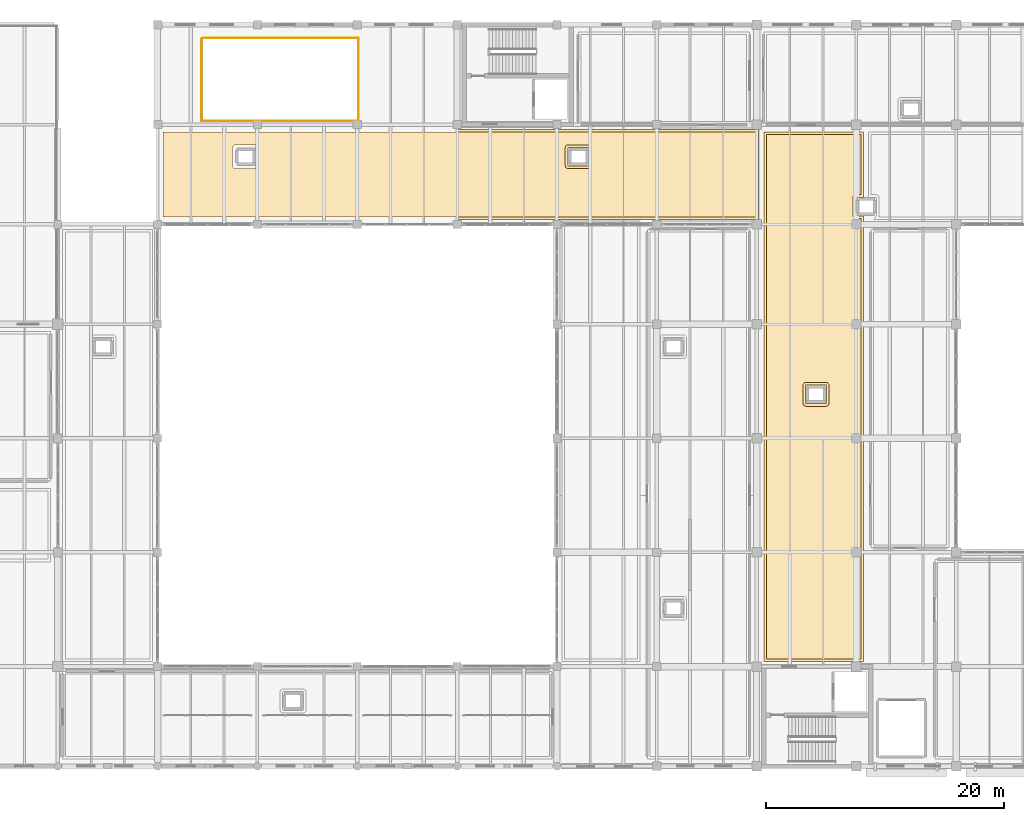
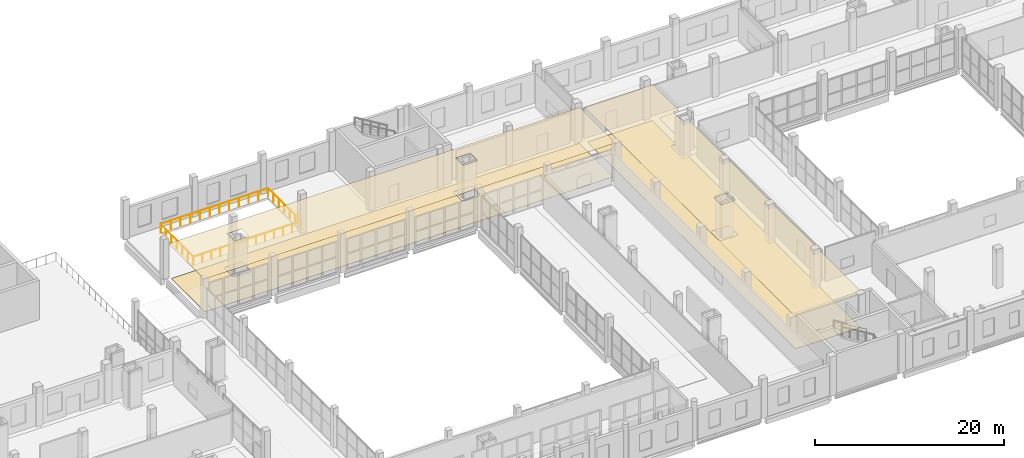
# One storey, part 70 of 73: 4 coverings, 2 railings.
"""IFC4 building model written with IfcOpenShell, lengths in metres."""

from ifc_helpers import new_model, si_unit, direction, frame, origin, origin_2d, place, context, subcontext, project, spatial, polyline, circle, outline, extrude, material, layer, layer_set, type_object, element, save


model = new_model("IFC4")

# Units and contexts
model_context = context("Model", 3, precision=1e-05, world=origin(), true_north=direction((0.0, 1.0)))
body_context = subcontext(model_context, "Body", "Model", "MODEL_VIEW")
ifc_project = project(units=[si_unit("LENGTHUNIT", "METRE"), si_unit("AREAUNIT", "SQUARE_METRE"), si_unit("VOLUMEUNIT", "CUBIC_METRE"), si_unit("PLANEANGLEUNIT", "RADIAN"), si_unit("MASSUNIT", "GRAM", prefix="KILO")], contexts=[model_context])

# Site, building, storey
site_placement = place(None, origin())
site = spatial("IfcSite", under=ifc_project, at=site_placement, CompositionType="ELEMENT")
building_placement = place(site_placement, origin())
building = spatial("IfcBuilding", under=site, at=building_placement, Name="Zulmaris Art Gallery", CompositionType="ELEMENT")
storey_placement = place(building_placement, frame((0.0, 0.0, 10.5)))
storey = spatial("IfcBuildingStorey", under=building, at=storey_placement, Name="L02", CompositionType="ELEMENT", Elevation=10.5)

# Coverings
ifc_material_1 = material(Name="Micro-Perforated Gypsum Acoustic Ceiling", Category="gypsum")
ifc_layer_1 = layer(ifc_material_1, 0.02490234375)
ifc_layer_set_1 = layer_set([ifc_layer_1], Name="Micro-Perforated Gypsum Acoustic Ceiling")
covering_type_1 = type_object("IfcCoveringType", Name="COV-CL01", PredefinedType="CEILING", material=ifc_layer_set_1)
covering_1_placement = place(storey_placement, frame((0.0, 0.0, 4.449951171875)))
element("IfcCovering", 1, at=covering_1_placement, inside=storey, type_object=covering_type_1, Name="L02 V4 South-North Concourse acoustic ceiling", PredefinedType="CEILING", context=body_context, shape_type="SweptSolid", body=[
    extrude(outline(polyline([(91.449951171875, 66.7900390625), (141.7900390625, 66.7900390625), (141.7900390625, 59.2099609375), (91.449951171875, 59.2099609375), (91.449951171875, 66.7900390625)]), holes=[polyline([(125.741455078125, 65.278564453125), (125.738525390625, 65.277587890625), (125.736083984375, 65.276123046875), (125.7333984375, 65.274658203125), (125.731201171875, 65.27294921875), (125.72900390625, 65.27099609375), (125.72705078125, 65.268798828125), (125.725341796875, 65.2666015625), (125.723876953125, 65.263916015625), (125.722412109375, 65.261474609375), (125.721435546875, 65.258544921875), (125.720703125, 65.255859375), (125.720458984375, 65.2529296875), (125.719970703125, 65.24462890625), (125.719970703125, 63.75537109375), (125.720458984375, 63.7470703125), (125.720703125, 63.744140625), (125.721435546875, 63.741455078125), (125.722412109375, 63.738525390625), (125.723876953125, 63.736083984375), (125.725341796875, 63.7333984375), (125.72705078125, 63.731201171875), (125.72900390625, 63.72900390625), (125.731201171875, 63.72705078125), (125.7333984375, 63.725341796875), (125.736083984375, 63.723876953125), (125.738525390625, 63.722412109375), (125.741455078125, 63.721435546875), (125.744140625, 63.720703125), (125.7470703125, 63.720458984375), (125.75537109375, 63.719970703125), (127.444580078125, 63.719970703125), (127.452880859375, 63.720458984375), (127.455810546875, 63.720703125), (127.45849609375, 63.721435546875), (127.46142578125, 63.722412109375), (127.464111328125, 63.723876953125), (127.466552734375, 63.725341796875), (127.468994140625, 63.72705078125), (127.470947265625, 63.72900390625), (127.472900390625, 63.731201171875), (127.474609375, 63.7333984375), (127.476318359375, 63.736083984375), (127.4775390625, 63.738525390625), (127.478515625, 63.741455078125), (127.479248046875, 63.744140625), (127.4794921875, 63.7470703125), (127.47998046875, 63.75537109375), (127.47998046875, 65.24462890625), (127.4794921875, 65.2529296875), (127.479248046875, 65.255859375), (127.478515625, 65.258544921875), (127.4775390625, 65.261474609375), (127.476318359375, 65.263916015625), (127.474609375, 65.2666015625), (127.472900390625, 65.268798828125), (127.470947265625, 65.27099609375), (127.468994140625, 65.27294921875), (127.466552734375, 65.274658203125), (127.464111328125, 65.276123046875), (127.46142578125, 65.277587890625), (127.45849609375, 65.278564453125), (127.455810546875, 65.279296875), (127.452880859375, 65.279541015625), (127.444580078125, 65.280029296875), (125.75537109375, 65.280029296875), (125.7470703125, 65.279541015625), (125.744140625, 65.279296875), (125.741455078125, 65.278564453125)]), polyline([(97.741455078125, 65.278564453125), (97.738525390625, 65.277587890625), (97.736083984375, 65.276123046875), (97.7333984375, 65.274658203125), (97.731201171875, 65.27294921875), (97.72900390625, 65.27099609375), (97.72705078125, 65.268798828125), (97.725341796875, 65.2666015625), (97.723876953125, 65.263916015625), (97.722412109375, 65.261474609375), (97.721435546875, 65.258544921875), (97.720703125, 65.255859375), (97.720458984375, 65.2529296875), (97.719970703125, 65.24462890625), (97.719970703125, 63.75537109375), (97.720458984375, 63.7470703125), (97.720703125, 63.744140625), (97.721435546875, 63.741455078125), (97.722412109375, 63.738525390625), (97.723876953125, 63.736083984375), (97.725341796875, 63.7333984375), (97.72705078125, 63.731201171875), (97.72900390625, 63.72900390625), (97.731201171875, 63.72705078125), (97.7333984375, 63.725341796875), (97.736083984375, 63.723876953125), (97.738525390625, 63.722412109375), (97.741455078125, 63.721435546875), (97.744140625, 63.720703125), (97.7470703125, 63.720458984375), (97.75537109375, 63.719970703125), (99.444580078125, 63.719970703125), (99.452880859375, 63.720458984375), (99.455810546875, 63.720703125), (99.45849609375, 63.721435546875), (99.46142578125, 63.722412109375), (99.464111328125, 63.723876953125), (99.466552734375, 63.725341796875), (99.468994140625, 63.72705078125), (99.470947265625, 63.72900390625), (99.472900390625, 63.731201171875), (99.474609375, 63.7333984375), (99.476318359375, 63.736083984375), (99.4775390625, 63.738525390625), (99.478515625, 63.741455078125), (99.479248046875, 63.744140625), (99.4794921875, 63.7470703125), (99.47998046875, 63.75537109375), (99.47998046875, 65.24462890625), (99.4794921875, 65.2529296875), (99.479248046875, 65.255859375), (99.478515625, 65.258544921875), (99.4775390625, 65.261474609375), (99.476318359375, 65.263916015625), (99.474609375, 65.2666015625), (99.472900390625, 65.268798828125), (99.470947265625, 65.27099609375), (99.468994140625, 65.27294921875), (99.466552734375, 65.274658203125), (99.464111328125, 65.276123046875), (99.46142578125, 65.277587890625), (99.45849609375, 65.278564453125), (99.455810546875, 65.279296875), (99.452880859375, 65.279541015625), (99.444580078125, 65.280029296875), (97.75537109375, 65.280029296875), (97.7470703125, 65.279541015625), (97.744140625, 65.279296875), (97.741455078125, 65.278564453125)])]), origin(), (0.0, 0.0, 1.0), 0.030029296875),
])
covering_2_placement = place(storey_placement, frame((0.0, 0.0, 4.449951171875)))
element("IfcCovering", 2, at=covering_2_placement, inside=storey, type_object=covering_type_1, Name="L02 Conservation West Corridor acoustic ceiling", PredefinedType="CEILING", context=body_context, shape_type="SweptSolid", body=[
    extrude(outline(polyline([(149.955322265625, 61.080078125), (149.947021484375, 61.07958984375), (149.944091796875, 61.0791015625), (149.94140625, 61.07861328125), (149.938720703125, 61.077392578125), (149.93603515625, 61.076171875), (149.93359375, 61.07470703125), (149.93115234375, 61.072998046875), (149.928955078125, 61.071044921875), (149.927001953125, 61.06884765625), (149.92529296875, 61.06640625), (149.923828125, 61.06396484375), (149.922607421875, 61.061279296875), (149.92138671875, 61.05859375), (149.9208984375, 61.055908203125), (149.92041015625, 61.052978515625), (149.919921875, 61.044677734375), (149.919921875, 59.555419921875), (149.92041015625, 59.547119140625), (149.9208984375, 59.544189453125), (149.92138671875, 59.54150390625), (149.922607421875, 59.53857421875), (149.923828125, 59.535888671875), (149.92529296875, 59.533447265625), (149.927001953125, 59.531005859375), (149.928955078125, 59.529052734375), (149.93115234375, 59.527099609375), (149.93359375, 59.525390625), (149.93603515625, 59.523681640625), (149.938720703125, 59.5224609375), (149.94140625, 59.521484375), (149.944091796875, 59.520751953125), (149.947021484375, 59.5205078125), (149.955322265625, 59.52001953125), (150.590087890625, 59.52001953125), (150.590087890625, 22.010009765625), (142.2099609375, 22.010009765625), (142.2099609375, 66.590087890625), (150.590087890625, 66.590087890625), (150.590087890625, 61.080078125), (149.955322265625, 61.080078125)]), holes=[polyline([(145.741455078125, 45.278564453125), (145.738525390625, 45.277587890625), (145.736083984375, 45.276123046875), (145.7333984375, 45.274658203125), (145.731201171875, 45.27294921875), (145.72900390625, 45.27099609375), (145.72705078125, 45.268798828125), (145.725341796875, 45.2666015625), (145.723876953125, 45.263916015625), (145.722412109375, 45.261474609375), (145.721435546875, 45.258544921875), (145.720703125, 45.255859375), (145.720458984375, 45.2529296875), (145.719970703125, 45.24462890625), (145.719970703125, 43.75537109375), (145.720458984375, 43.7470703125), (145.720703125, 43.744140625), (145.721435546875, 43.741455078125), (145.722412109375, 43.738525390625), (145.723876953125, 43.736083984375), (145.725341796875, 43.7333984375), (145.72705078125, 43.731201171875), (145.72900390625, 43.72900390625), (145.731201171875, 43.72705078125), (145.7333984375, 43.725341796875), (145.736083984375, 43.723876953125), (145.738525390625, 43.722412109375), (145.741455078125, 43.721435546875), (145.744140625, 43.720703125), (145.7470703125, 43.720458984375), (145.75537109375, 43.719970703125), (147.444580078125, 43.719970703125), (147.452880859375, 43.720458984375), (147.455810546875, 43.720703125), (147.45849609375, 43.721435546875), (147.46142578125, 43.722412109375), (147.464111328125, 43.723876953125), (147.466552734375, 43.725341796875), (147.468994140625, 43.72705078125), (147.470947265625, 43.72900390625), (147.472900390625, 43.731201171875), (147.474609375, 43.7333984375), (147.476318359375, 43.736083984375), (147.4775390625, 43.738525390625), (147.478515625, 43.741455078125), (147.479248046875, 43.744140625), (147.4794921875, 43.7470703125), (147.47998046875, 43.75537109375), (147.47998046875, 45.24462890625), (147.4794921875, 45.2529296875), (147.479248046875, 45.255859375), (147.478515625, 45.258544921875), (147.4775390625, 45.261474609375), (147.476318359375, 45.263916015625), (147.474609375, 45.2666015625), (147.472900390625, 45.268798828125), (147.470947265625, 45.27099609375), (147.468994140625, 45.27294921875), (147.466552734375, 45.274658203125), (147.464111328125, 45.276123046875), (147.46142578125, 45.277587890625), (147.45849609375, 45.278564453125), (147.455810546875, 45.279296875), (147.452880859375, 45.279541015625), (147.444580078125, 45.280029296875), (145.75537109375, 45.280029296875), (145.7470703125, 45.279541015625), (145.744140625, 45.279296875), (145.741455078125, 45.278564453125)])]), origin(), (0.0, 0.0, 1.0), 0.030029296875),
])
ifc_material_2 = material(Name="Honed Omani Limestone Terrazzo Flooring", Category="masonry")
ifc_layer_2 = layer(ifc_material_2, 0.0400390625)
ifc_layer_set_2 = layer_set([ifc_layer_2], Name="Honed Omani Limestone Terrazzo Flooring")
covering_type_2 = type_object("IfcCoveringType", Name="COV-FL01", PredefinedType="FLOORING", material=ifc_layer_set_2)
covering_3_placement = place(storey_placement, origin())
element("IfcCovering", 3, at=covering_3_placement, inside=storey, type_object=covering_type_2, Name="L02 V4 South-North Concourse finish flooring", PredefinedType="FLOORING", context=body_context, shape_type="SweptSolid", body=[
    extrude(outline(polyline([(141.570068359375, 59.429931640625), (91.669921875, 59.429931640625), (91.669921875, 66.570068359375), (141.570068359375, 66.570068359375), (141.570068359375, 59.429931640625)]), holes=[polyline([(125.7255859375, 65.498779296875), (125.701171875, 65.4951171875), (125.677490234375, 65.4892578125), (125.654296875, 65.48095703125), (125.632080078125, 65.470458984375), (125.611083984375, 65.4580078125), (125.59130859375, 65.443359375), (125.5732421875, 65.4267578125), (125.556640625, 65.40869140625), (125.5419921875, 65.388916015625), (125.529541015625, 65.367919921875), (125.51904296875, 65.345703125), (125.5107421875, 65.322509765625), (125.5048828125, 65.298828125), (125.501220703125, 65.2744140625), (125.5, 65.25), (125.5, 63.75), (125.501220703125, 63.7255859375), (125.5048828125, 63.701171875), (125.5107421875, 63.677490234375), (125.51904296875, 63.654296875), (125.529541015625, 63.632080078125), (125.5419921875, 63.611083984375), (125.556640625, 63.59130859375), (125.5732421875, 63.5732421875), (125.59130859375, 63.556640625), (125.611083984375, 63.5419921875), (125.632080078125, 63.529541015625), (125.654296875, 63.51904296875), (125.677490234375, 63.5107421875), (125.701171875, 63.5048828125), (125.7255859375, 63.501220703125), (125.75, 63.5), (127.449951171875, 63.5), (127.474609375, 63.501220703125), (127.498779296875, 63.5048828125), (127.522705078125, 63.5107421875), (127.545654296875, 63.51904296875), (127.56787109375, 63.529541015625), (127.5888671875, 63.5419921875), (127.608642578125, 63.556640625), (127.626708984375, 63.5732421875), (127.643310546875, 63.59130859375), (127.657958984375, 63.611083984375), (127.67041015625, 63.632080078125), (127.680908203125, 63.654296875), (127.689208984375, 63.677490234375), (127.6953125, 63.701171875), (127.69873046875, 63.7255859375), (127.699951171875, 63.75), (127.699951171875, 65.25), (127.69873046875, 65.2744140625), (127.6953125, 65.298828125), (127.689208984375, 65.322509765625), (127.680908203125, 65.345703125), (127.67041015625, 65.367919921875), (127.657958984375, 65.388916015625), (127.643310546875, 65.40869140625), (127.626708984375, 65.4267578125), (127.608642578125, 65.443359375), (127.5888671875, 65.4580078125), (127.56787109375, 65.470458984375), (127.545654296875, 65.48095703125), (127.522705078125, 65.4892578125), (127.498779296875, 65.4951171875), (127.474609375, 65.498779296875), (127.449951171875, 65.5), (125.75, 65.5), (125.7255859375, 65.498779296875)]), polyline([(97.7255859375, 65.498779296875), (97.701171875, 65.4951171875), (97.677490234375, 65.4892578125), (97.654296875, 65.48095703125), (97.632080078125, 65.470458984375), (97.611083984375, 65.4580078125), (97.59130859375, 65.443359375), (97.5732421875, 65.4267578125), (97.556640625, 65.40869140625), (97.5419921875, 65.388916015625), (97.529541015625, 65.367919921875), (97.51904296875, 65.345703125), (97.5107421875, 65.322509765625), (97.5048828125, 65.298828125), (97.501220703125, 65.2744140625), (97.5, 65.25), (97.5, 63.75), (97.501220703125, 63.7255859375), (97.5048828125, 63.701171875), (97.5107421875, 63.677490234375), (97.51904296875, 63.654296875), (97.529541015625, 63.632080078125), (97.5419921875, 63.611083984375), (97.556640625, 63.59130859375), (97.5732421875, 63.5732421875), (97.59130859375, 63.556640625), (97.611083984375, 63.5419921875), (97.632080078125, 63.529541015625), (97.654296875, 63.51904296875), (97.677490234375, 63.5107421875), (97.701171875, 63.5048828125), (97.7255859375, 63.501220703125), (97.75, 63.5), (99.449951171875, 63.5), (99.474609375, 63.501220703125), (99.498779296875, 63.5048828125), (99.522705078125, 63.5107421875), (99.545654296875, 63.51904296875), (99.56787109375, 63.529541015625), (99.5888671875, 63.5419921875), (99.608642578125, 63.556640625), (99.626708984375, 63.5732421875), (99.643310546875, 63.59130859375), (99.657958984375, 63.611083984375), (99.67041015625, 63.632080078125), (99.680908203125, 63.654296875), (99.689208984375, 63.677490234375), (99.6953125, 63.701171875), (99.69873046875, 63.7255859375), (99.699951171875, 63.75), (99.699951171875, 65.25), (99.69873046875, 65.2744140625), (99.6953125, 65.298828125), (99.689208984375, 65.322509765625), (99.680908203125, 65.345703125), (99.67041015625, 65.367919921875), (99.657958984375, 65.388916015625), (99.643310546875, 65.40869140625), (99.626708984375, 65.4267578125), (99.608642578125, 65.443359375), (99.5888671875, 65.4580078125), (99.56787109375, 65.470458984375), (99.545654296875, 65.48095703125), (99.522705078125, 65.4892578125), (99.498779296875, 65.4951171875), (99.474609375, 65.498779296875), (99.449951171875, 65.5), (97.75, 65.5), (97.7255859375, 65.498779296875)])]), origin(), (0.0, 0.0, 1.0), 0.034912109375),
])
covering_4_placement = place(storey_placement, origin())
element("IfcCovering", 4, at=covering_4_placement, inside=storey, type_object=covering_type_2, Name="L02 Conservation West Corridor finish flooring", PredefinedType="FLOORING", context=body_context, shape_type="SweptSolid", body=[
    extrude(outline(polyline([(150.3701171875, 66.3701171875), (150.3701171875, 61.300048828125), (149.949951171875, 61.300048828125), (149.925537109375, 61.298828125), (149.901123046875, 61.295166015625), (149.87744140625, 61.289306640625), (149.854248046875, 61.281005859375), (149.832275390625, 61.2705078125), (149.81103515625, 61.2578125), (149.79150390625, 61.243408203125), (149.773193359375, 61.226806640625), (149.756591796875, 61.20849609375), (149.7421875, 61.18896484375), (149.7294921875, 61.167724609375), (149.718994140625, 61.145751953125), (149.710693359375, 61.12255859375), (149.704833984375, 61.098876953125), (149.701171875, 61.074462890625), (149.699951171875, 61.050048828125), (149.699951171875, 59.550048828125), (149.701171875, 59.525390625), (149.704833984375, 59.501220703125), (149.710693359375, 59.477294921875), (149.718994140625, 59.454345703125), (149.7294921875, 59.43212890625), (149.7421875, 59.4111328125), (149.756591796875, 59.391357421875), (149.773193359375, 59.373291015625), (149.79150390625, 59.356689453125), (149.81103515625, 59.342041015625), (149.832275390625, 59.32958984375), (149.854248046875, 59.319091796875), (149.87744140625, 59.310791015625), (149.901123046875, 59.3046875), (149.925537109375, 59.30126953125), (149.949951171875, 59.300048828125), (150.3701171875, 59.300048828125), (150.3701171875, 22.22998046875), (142.429931640625, 22.22998046875), (142.429931640625, 66.3701171875), (150.3701171875, 66.3701171875)]), holes=[polyline([(145.7255859375, 45.498779296875), (145.701171875, 45.4951171875), (145.677490234375, 45.4892578125), (145.654296875, 45.48095703125), (145.632080078125, 45.470458984375), (145.611083984375, 45.4580078125), (145.59130859375, 45.443359375), (145.5732421875, 45.4267578125), (145.556640625, 45.40869140625), (145.5419921875, 45.388916015625), (145.529541015625, 45.367919921875), (145.51904296875, 45.345703125), (145.5107421875, 45.322509765625), (145.5048828125, 45.298828125), (145.501220703125, 45.2744140625), (145.5, 45.25), (145.5, 43.75), (145.501220703125, 43.7255859375), (145.5048828125, 43.701171875), (145.5107421875, 43.677490234375), (145.51904296875, 43.654296875), (145.529541015625, 43.632080078125), (145.5419921875, 43.611083984375), (145.556640625, 43.59130859375), (145.5732421875, 43.5732421875), (145.59130859375, 43.556640625), (145.611083984375, 43.5419921875), (145.632080078125, 43.529541015625), (145.654296875, 43.51904296875), (145.677490234375, 43.5107421875), (145.701171875, 43.5048828125), (145.7255859375, 43.501220703125), (145.75, 43.5), (147.449951171875, 43.5), (147.474609375, 43.501220703125), (147.498779296875, 43.5048828125), (147.522705078125, 43.5107421875), (147.545654296875, 43.51904296875), (147.56787109375, 43.529541015625), (147.5888671875, 43.5419921875), (147.608642578125, 43.556640625), (147.626708984375, 43.5732421875), (147.643310546875, 43.59130859375), (147.657958984375, 43.611083984375), (147.67041015625, 43.632080078125), (147.680908203125, 43.654296875), (147.689208984375, 43.677490234375), (147.6953125, 43.701171875), (147.69873046875, 43.7255859375), (147.699951171875, 43.75), (147.699951171875, 45.25), (147.69873046875, 45.2744140625), (147.6953125, 45.298828125), (147.689208984375, 45.322509765625), (147.680908203125, 45.345703125), (147.67041015625, 45.367919921875), (147.657958984375, 45.388916015625), (147.643310546875, 45.40869140625), (147.626708984375, 45.4267578125), (147.608642578125, 45.443359375), (147.5888671875, 45.4580078125), (147.56787109375, 45.470458984375), (147.545654296875, 45.48095703125), (147.522705078125, 45.4892578125), (147.498779296875, 45.4951171875), (147.474609375, 45.498779296875), (147.449951171875, 45.5), (145.75, 45.5), (145.7255859375, 45.498779296875)])]), origin(), (0.0, 0.0, 1.0), 0.034912109375),
])

# Railings
ifc_material_3 = material(Name="Bronze & Laminated Glass Balustrade", Category="glass")
ifc_layer_3 = layer(ifc_material_3, 0.070068359375)
ifc_layer_set_3 = layer_set([ifc_layer_3], Name="Bronze & Laminated Glass Balustrade")
railing_type = type_object("IfcRailingType", Name="RAIL-BAL01", PredefinedType="BALUSTRADE", material=ifc_layer_set_3)
railing_1_placement = place(storey_placement, frame((94.89990234375, 74.39990234375, 0.0)))
element("IfcRailing", 5, at=railing_1_placement, inside=storey, type_object=railing_type, Name="L02 V4 Gallery Lightwell South-West Guard", PredefinedType="BALUSTRADE", context=body_context, shape_type="SweptSolid", body=[
    extrude(circle(Radius=0.02392578125, at=origin_2d()), frame((0.0, 0.0, 1.1357421875), z_axis=(0.0, -1.0, 0.0), x_axis=(1.0, 0.0, 0.0)), (0.0, 0.0, 1.0), 6.89990234375),
    extrude(circle(Radius=0.02392578125, at=origin_2d()), frame((0.0, -6.89990234375, 1.1357421875), z_axis=(1.0, 0.0, 0.0), x_axis=(0.0, 1.0, 0.0)), (0.0, 0.0, 1.0), 13.2001953125),
    extrude(circle(Radius=0.02099609375, at=origin_2d()), origin(), (0.0, 0.0, 1.0), 1.11181640625),
    extrude(circle(Radius=0.02099609375, at=origin_2d()), frame((0.0, -1.14990234375, 0.0)), (0.0, 0.0, 1.0), 1.11181640625),
    extrude(circle(Radius=0.02099609375, at=origin_2d()), frame((0.0, -2.300048828125, 0.0)), (0.0, 0.0, 1.0), 1.11181640625),
    extrude(circle(Radius=0.02099609375, at=origin_2d()), frame((0.0, -3.449951171875, 0.0)), (0.0, 0.0, 1.0), 1.11181640625),
    extrude(circle(Radius=0.02099609375, at=origin_2d()), frame((0.0, -4.599853515625, 0.0)), (0.0, 0.0, 1.0), 1.11181640625),
    extrude(circle(Radius=0.02099609375, at=origin_2d()), frame((0.0, -5.75, 0.0)), (0.0, 0.0, 1.0), 1.11181640625),
    extrude(circle(Radius=0.02099609375, at=origin_2d()), frame((0.0, -6.89990234375, 0.0)), (0.0, 0.0, 1.0), 1.11181640625),
    extrude(circle(Radius=0.02099609375, at=origin_2d()), frame((1.10009765625, -6.89990234375, 0.0)), (0.0, 0.0, 1.0), 1.11181640625),
    extrude(circle(Radius=0.02099609375, at=origin_2d()), frame((2.199951171875, -6.89990234375, 0.0)), (0.0, 0.0, 1.0), 1.11181640625),
    extrude(circle(Radius=0.02099609375, at=origin_2d()), frame((3.300048828125, -6.89990234375, 0.0)), (0.0, 0.0, 1.0), 1.11181640625),
    extrude(circle(Radius=0.02099609375, at=origin_2d()), frame((4.400146484375, -6.89990234375, 0.0)), (0.0, 0.0, 1.0), 1.11181640625),
    extrude(circle(Radius=0.02099609375, at=origin_2d()), frame((5.5, -6.89990234375, 0.0)), (0.0, 0.0, 1.0), 1.11181640625),
    extrude(circle(Radius=0.02099609375, at=origin_2d()), frame((6.60009765625, -6.89990234375, 0.0)), (0.0, 0.0, 1.0), 1.11181640625),
    extrude(circle(Radius=0.02099609375, at=origin_2d()), frame((7.7001953125, -6.89990234375, 0.0)), (0.0, 0.0, 1.0), 1.11181640625),
    extrude(circle(Radius=0.02099609375, at=origin_2d()), frame((8.800048828125, -6.89990234375, 0.0)), (0.0, 0.0, 1.0), 1.11181640625),
    extrude(circle(Radius=0.02099609375, at=origin_2d()), frame((9.900146484375, -6.89990234375, 0.0)), (0.0, 0.0, 1.0), 1.11181640625),
    extrude(circle(Radius=0.02099609375, at=origin_2d()), frame((11.000244140625, -6.89990234375, 0.0)), (0.0, 0.0, 1.0), 1.11181640625),
    extrude(circle(Radius=0.02099609375, at=origin_2d()), frame((12.10009765625, -6.89990234375, 0.0)), (0.0, 0.0, 1.0), 1.11181640625),
    extrude(circle(Radius=0.02099609375, at=origin_2d()), frame((13.2001953125, -6.89990234375, 0.0)), (0.0, 0.0, 1.0), 1.11181640625),
])
railing_2_placement = place(storey_placement, frame((108.10009765625, 67.60009765625, 0.0)))
element("IfcRailing", 6, at=railing_2_placement, inside=storey, type_object=railing_type, Name="L02 V4 Gallery Lightwell North-East Guard", PredefinedType="BALUSTRADE", context=body_context, shape_type="SweptSolid", body=[
    extrude(circle(Radius=0.02392578125, at=origin_2d()), frame((0.0, 0.0, 1.1357421875), z_axis=(0.0, 1.0, 0.0), x_axis=(-1.0, 0.0, 0.0)), (0.0, 0.0, 1.0), 6.89990234375),
    extrude(circle(Radius=0.02392578125, at=origin_2d()), frame((0.0, 6.89990234375, 1.1357421875), z_axis=(-1.0, 0.0, 0.0), x_axis=(0.0, -1.0, 0.0)), (0.0, 0.0, 1.0), 13.10009765625),
    extrude(circle(Radius=0.02099609375, at=origin_2d()), origin(), (0.0, 0.0, 1.0), 1.11181640625),
    extrude(circle(Radius=0.02099609375, at=origin_2d()), frame((0.0, 1.14990234375, 0.0)), (0.0, 0.0, 1.0), 1.11181640625),
    extrude(circle(Radius=0.02099609375, at=origin_2d()), frame((0.0, 2.300048828125, 0.0)), (0.0, 0.0, 1.0), 1.11181640625),
    extrude(circle(Radius=0.02099609375, at=origin_2d()), frame((0.0, 3.449951171875, 0.0)), (0.0, 0.0, 1.0), 1.11181640625),
    extrude(circle(Radius=0.02099609375, at=origin_2d()), frame((0.0, 4.599853515625, 0.0)), (0.0, 0.0, 1.0), 1.11181640625),
    extrude(circle(Radius=0.02099609375, at=origin_2d()), frame((0.0, 5.75, 0.0)), (0.0, 0.0, 1.0), 1.11181640625),
    extrude(circle(Radius=0.02099609375, at=origin_2d()), frame((0.0, 6.89990234375, 0.0)), (0.0, 0.0, 1.0), 1.11181640625),
    extrude(circle(Radius=0.02099609375, at=origin_2d()), frame((-1.19091796875, 6.89990234375, 0.0)), (0.0, 0.0, 1.0), 1.11181640625),
    extrude(circle(Radius=0.02099609375, at=origin_2d()), frame((-2.3818359375, 6.89990234375, 0.0)), (0.0, 0.0, 1.0), 1.11181640625),
    extrude(circle(Radius=0.02099609375, at=origin_2d()), frame((-3.57275390625, 6.89990234375, 0.0)), (0.0, 0.0, 1.0), 1.11181640625),
    extrude(circle(Radius=0.02099609375, at=origin_2d()), frame((-4.763671875, 6.89990234375, 0.0)), (0.0, 0.0, 1.0), 1.11181640625),
    extrude(circle(Radius=0.02099609375, at=origin_2d()), frame((-5.95458984375, 6.89990234375, 0.0)), (0.0, 0.0, 1.0), 1.11181640625),
    extrude(circle(Radius=0.02099609375, at=origin_2d()), frame((-7.1455078125, 6.89990234375, 0.0)), (0.0, 0.0, 1.0), 1.11181640625),
    extrude(circle(Radius=0.02099609375, at=origin_2d()), frame((-8.33642578125, 6.89990234375, 0.0)), (0.0, 0.0, 1.0), 1.11181640625),
    extrude(circle(Radius=0.02099609375, at=origin_2d()), frame((-9.52734375, 6.89990234375, 0.0)), (0.0, 0.0, 1.0), 1.11181640625),
    extrude(circle(Radius=0.02099609375, at=origin_2d()), frame((-10.71826171875, 6.89990234375, 0.0)), (0.0, 0.0, 1.0), 1.11181640625),
    extrude(circle(Radius=0.02099609375, at=origin_2d()), frame((-11.9091796875, 6.89990234375, 0.0)), (0.0, 0.0, 1.0), 1.11181640625),
    extrude(circle(Radius=0.02099609375, at=origin_2d()), frame((-13.10009765625, 6.89990234375, 0.0)), (0.0, 0.0, 1.0), 1.11181640625),
])

save(model, "model.ifc")
